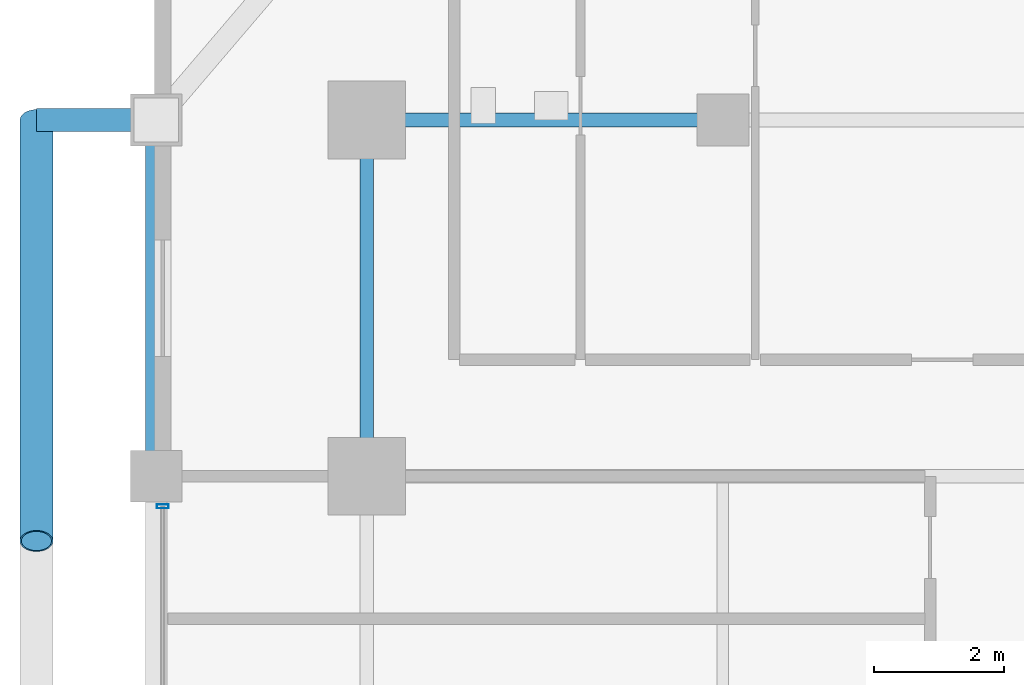
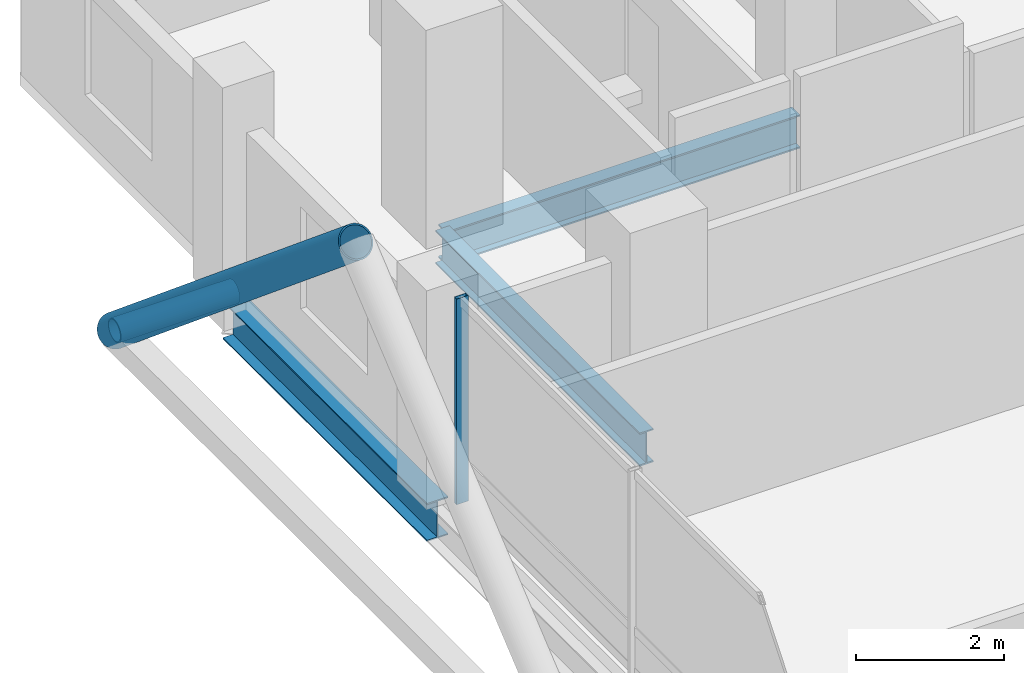
# One storey, part 12 of 24: 3 beams, 3 members, 1 element without a shape of its own.
"""IFC4 building model written with IfcOpenShell, lengths in metres."""

from ifc_helpers import new_model, si_unit, direction, frame, origin, origin_2d, place, context, subcontext, project, spatial, hollow_rectangle, hollow_circle, i_section, extrude, material, layer, layer_set, material_profile, profile_set, type_object, element, aggregate, save


model = new_model("IFC4")

# Units and contexts
model_context = context("Model", 3, precision=1e-05, world=origin(), true_north=direction((0.0, 1.0)))
body_context = subcontext(model_context, "Body", "Model", "MODEL_VIEW")
ifc_project = project(units=[si_unit("LENGTHUNIT", "METRE"), si_unit("AREAUNIT", "SQUARE_METRE"), si_unit("VOLUMEUNIT", "CUBIC_METRE"), si_unit("PLANEANGLEUNIT", "RADIAN"), si_unit("MASSUNIT", "GRAM", prefix="KILO")], contexts=[model_context])

# Site, building, storey
site_placement = place(None, origin())
site = spatial("IfcSite", under=ifc_project, at=site_placement, CompositionType="ELEMENT")
building_placement = place(site_placement, origin())
building = spatial("IfcBuilding", under=site, at=building_placement, Name="Barlavira Tower and Art Museum", CompositionType="ELEMENT")
storey_placement = place(building_placement, frame((0.0, 0.0, 109.800048828125)))
storey = spatial("IfcBuildingStorey", under=building, at=storey_placement, Name="L27", CompositionType="ELEMENT", Elevation=109.800048828125)

# Curtain wall, member
ifc_material_1 = material(Name="Low-iron coastal laminated glass", Category="glass")
ifc_layer = layer(ifc_material_1, 0.18994140625, Name="Low-iron coastal laminated glass")
ifc_layer_set = layer_set([ifc_layer], Name="Low-iron coastal laminated glass")
curtain_wall_type = type_object("IfcCurtainWallType", Name="Pale-Metal Unitised Curtain Wall Zone 2", PredefinedType="NOTDEFINED", material=ifc_layer_set)
curtain_wall_placement = place(storey_placement, origin())
curtain_wall = element("IfcCurtainWall", 1, at=curtain_wall_placement, inside=storey, type_object=curtain_wall_type, Name="L27 Curtain Wall CW2-L27-W-B3", PredefinedType="NOTDEFINED")
ifc_material_2 = material(Name="Pale anodised aluminium", Category="aluminium")
ifc_material_profile_1 = material_profile(ifc_material_2, hollow_rectangle(XDim=0.06494140625, YDim=0.179931640625, WallThickness=0.00390625, at=origin_2d()), Name="ALU-MULL 65x180x4")
ifc_profile_set_1 = profile_set([ifc_material_profile_1], Name="Pale anodised aluminium")
member_type_1 = type_object("IfcMemberType", Name="Curtain Wall Pale-Metal Mullion 65x180", PredefinedType="MULLION", material=ifc_profile_set_1)
member_1_placement = place(storey_placement, frame((-20.14990234375, 7.034912109375, 0.0), z_axis=(0.0, 0.0, 1.0), x_axis=(0.0, -1.0, 0.0)))
member_1 = element("IfcMember", 2, at=member_1_placement, type_object=member_type_1, Name="CW2-L27-W-B3 Mullion 0", PredefinedType="MULLION", context=body_context, shape_type="SweptSolid", body=[
    extrude(hollow_rectangle(XDim=0.06494140625, YDim=0.179931640625, WallThickness=0.00390625, at=origin_2d()), origin(), (0.0, 0.0, 1.0), 3.3798828125),
])
aggregate(curtain_wall, [member_1])

# Members
ifc_material_3 = material(Name="Steel S355", Category="steel")
ifc_material_profile_2 = material_profile(ifc_material_3, hollow_circle(Radius=0.25390625, WallThickness=0.022216796875, at=origin_2d()), Name="CHS 508.0x22.2")
ifc_profile_set_2 = profile_set([ifc_material_profile_2], Name="Steel S355")
member_type_2 = type_object("IfcMemberType", Name="Pale-Metal Exoskeleton Diagrid Tube CHS 508x22 Steel S355", PredefinedType="BRACE", material=ifc_profile_set_2)
member_2_placement = place(storey_placement, frame((-22.10009765625, 13.0, -0.1201171875), z_axis=(0.0, -0.76918185268, 0.639029950399), x_axis=(1.0, 0.0, 0.0)))
element("IfcMember", 3, at=member_2_placement, inside=storey, type_object=member_type_2, Name="L27 Exoskeleton Diagrid Tube W", PredefinedType="BRACE", context=body_context, shape_type="SweptSolid", body=[
    extrude(hollow_circle(Radius=0.25390625, WallThickness=0.022216796875, at=origin_2d()), origin(), (0.0, 0.0, 1.0), 8.450439453125),
])
ifc_material_profile_3 = material_profile(ifc_material_3, hollow_circle(Radius=0.177734375, WallThickness=0.01611328125, at=origin_2d()), Name="CHS 355.6x16.0")
ifc_profile_set_3 = profile_set([ifc_material_profile_3], Name="Steel S355")
member_type_3 = type_object("IfcMemberType", Name="Pale-Metal Exoskeleton Tie Strut CHS 356x16 Steel S355", PredefinedType="STRUT", material=ifc_profile_set_3)
member_3_placement = place(storey_placement, frame((-22.10009765625, 13.0, -0.1201171875), z_axis=(1.0, 0.0, 0.0), x_axis=(0.0, 1.0, 0.0)))
element("IfcMember", 4, at=member_3_placement, inside=storey, type_object=member_type_3, Name="L27 Exoskeleton Tie Strut W3", PredefinedType="STRUT", context=body_context, shape_type="SweptSolid", body=[
    extrude(hollow_circle(Radius=0.177734375, WallThickness=0.01611328125, at=origin_2d()), origin(), (0.0, 0.0, 1.0), 1.85009765625),
])

# Beams
ifc_material_profile_4 = material_profile(ifc_material_3, i_section(OverallWidth=0.327880859375, OverallDepth=0.62890625, WebThickness=0.013916015625, FlangeThickness=0.021484375, at=origin_2d()), Name="W610x174.0")
ifc_profile_set_4 = profile_set([ifc_material_profile_4], Name="Steel S355")
beam_type_1 = type_object("IfcBeamType", Name="Perimeter Spandrel Edge Beam W610x174 Steel S355", PredefinedType="SPANDREL", material=ifc_profile_set_4)
beam_placement = place(storey_placement, frame((-20.25, 7.5, -0.53466796875), z_axis=(0.0, 1.0, 0.0), x_axis=(-1.0, 0.0, 0.0)))
element("IfcBeam", 5, at=beam_placement, inside=storey, type_object=beam_type_1, Name="L27 Spandrel 13", PredefinedType="SPANDREL", context=body_context, shape_type="SweptSolid", body=[
    extrude(i_section(OverallWidth=0.327880859375, OverallDepth=0.62890625, WebThickness=0.013916015625, FlangeThickness=0.021484375, at=origin_2d()), origin(), (0.0, 0.0, 1.0), 5.5),
])
ifc_material_profile_5 = material_profile(ifc_material_3, i_section(OverallWidth=0.214111328125, OverallDepth=0.549072265625, WebThickness=0.0146484375, FlangeThickness=0.023681640625, at=origin_2d()), Name="W530x138.0")
ifc_profile_set_5 = profile_set([ifc_material_profile_5], Name="Steel S355")
beam_type_2 = type_object("IfcBeamType", Name="Zone 1 Primary Floor Girder W530x138 Steel S355", PredefinedType="BEAM", material=ifc_profile_set_5)
for number, where, z_axis, x_axis, name in (
    (6, (-17.0, 7.5, -0.49462890625), (0.0, 1.0, 0.0), (-1.0, 0.0, 0.0), "L27 Girder M-W3"),
    (7, (-17.0, 13.0, -0.49462890625), (1.0, 0.0, 0.0), (0.0, 1.0, 0.0), "L27 Girder I-N1"),
):
    element("IfcBeam", number, at=place(storey_placement, frame(where, z_axis=z_axis, x_axis=x_axis)), inside=storey, type_object=beam_type_2, Name=name, PredefinedType="BEAM", context=body_context, shape_type="SweptSolid", body=[
        extrude(i_section(OverallWidth=0.214111328125, OverallDepth=0.549072265625, WebThickness=0.0146484375, FlangeThickness=0.023681640625, at=origin_2d()), origin(), (0.0, 0.0, 1.0), 5.5),
    ])

save(model, "model.ifc")
